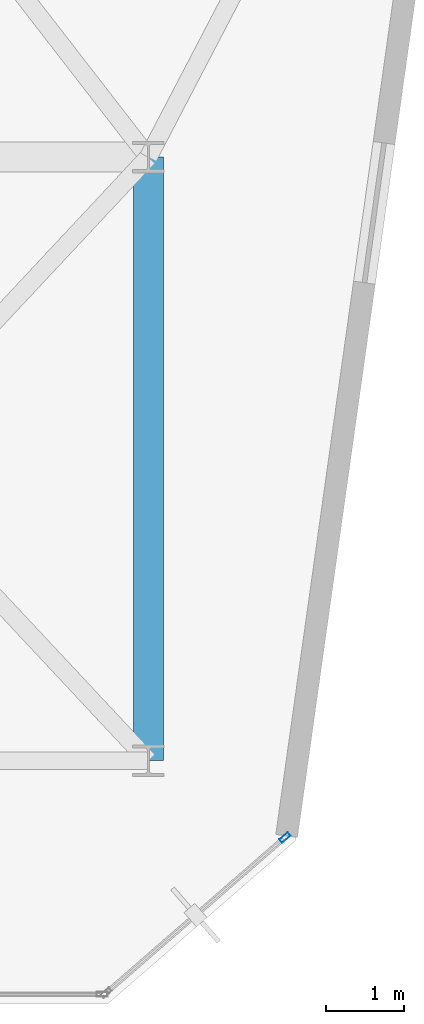
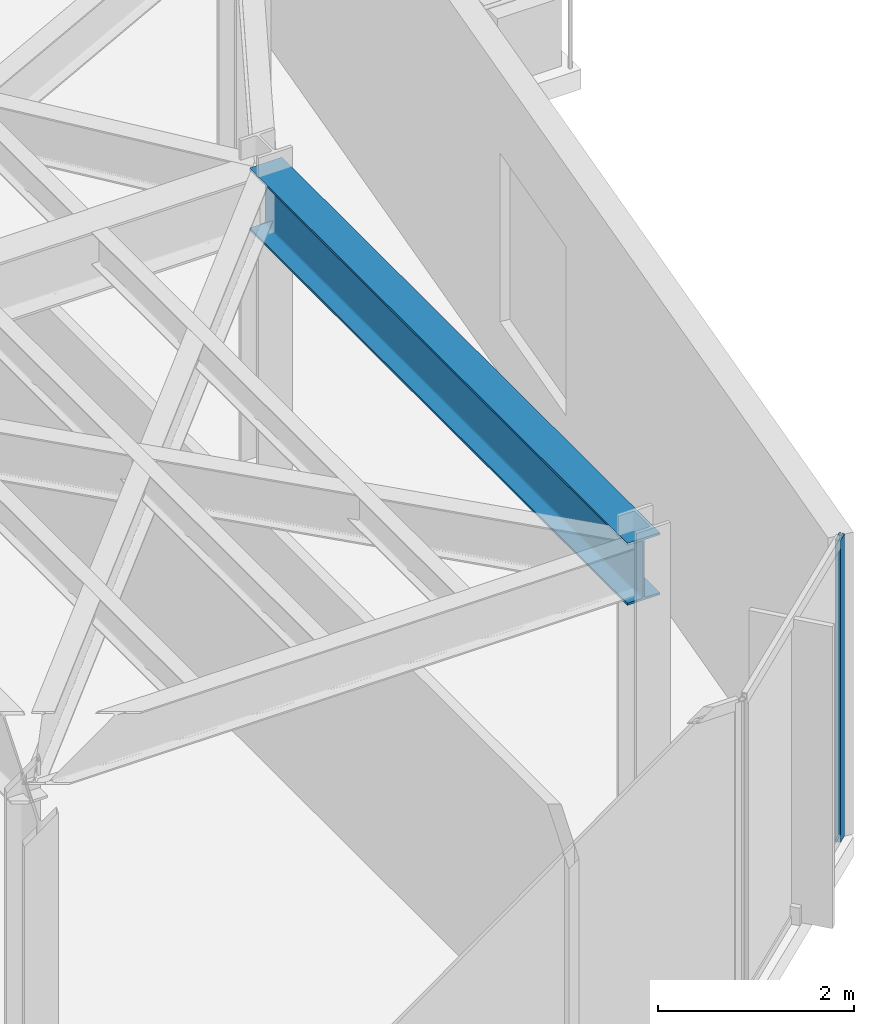
# One storey, part 20 of 26: 1 beam, 1 member, 1 element without a shape of its own.
"""IFC4 building model written with IfcOpenShell, lengths in metres."""

from ifc_helpers import new_model, si_unit, direction, frame, origin, origin_2d, place, context, subcontext, project, spatial, hollow_rectangle, i_section, extrude, material, layer, layer_set, material_profile, profile_set, type_object, element, aggregate, save


model = new_model("IFC4")

# Units and contexts
model_context = context("Model", 3, precision=1e-05, world=origin(), true_north=direction((0.0, 1.0)))
body_context = subcontext(model_context, "Body", "Model", "MODEL_VIEW")
ifc_project = project(units=[si_unit("LENGTHUNIT", "METRE"), si_unit("AREAUNIT", "SQUARE_METRE"), si_unit("VOLUMEUNIT", "CUBIC_METRE"), si_unit("PLANEANGLEUNIT", "RADIAN"), si_unit("MASSUNIT", "GRAM", prefix="KILO")], contexts=[model_context])

# Site, building, storey
site_placement = place(None, origin())
site = spatial("IfcSite", under=ifc_project, at=site_placement, CompositionType="ELEMENT")
building_placement = place(site_placement, origin())
building = spatial("IfcBuilding", under=site, at=building_placement, Name="Kravanh Interchange Tower", CompositionType="ELEMENT")
storey_placement = place(building_placement, frame((0.0, 0.0, 212.5)))
storey = spatial("IfcBuildingStorey", under=building, at=storey_placement, Name="L51", CompositionType="ELEMENT", Elevation=212.5)

# Curtain wall, member
ifc_material_1 = material(Name="Anodised Bronze Aluminium", Category="aluminium")
ifc_layer = layer(ifc_material_1, 0.179931640625)
ifc_layer_set = layer_set([ifc_layer], Name="Unitised Curtain Wall System CW-Z3 Upper Office")
curtain_wall_type = type_object("IfcCurtainWallType", Name="Unitised Curtain Wall System CW-Z3 Upper Office", PredefinedType="NOTDEFINED", material=ifc_layer_set)
curtain_wall_placement = place(storey_placement, origin())
curtain_wall = element("IfcCurtainWall", 1, at=curtain_wall_placement, inside=storey, type_object=curtain_wall_type, Name="L51 Unitised Curtain Wall CW-L51-02", PredefinedType="NOTDEFINED")
ifc_material_2 = material(Name="Anodised Bronze Aluminium", Category="aluminium")
ifc_material_profile_1 = material_profile(ifc_material_2, hollow_rectangle(XDim=0.06005859375, YDim=0.139892578125, WallThickness=0.00390625, at=origin_2d()), Name="ALU60X140X4")
ifc_profile_set_1 = profile_set([ifc_material_profile_1], Name="Anodised Bronze Aluminium")
member_type = type_object("IfcMemberType", Name="Curtain Wall Mullion ALU60X140X4 Bronze", PredefinedType="MULLION", material=ifc_profile_set_1)
member_placement = place(storey_placement, frame((64.94287109375, 13.52099609375, 0.0), z_axis=(0.0, 0.0, 1.0), x_axis=(0.65605090137, -0.754716645379, 0.0)))
member = element("IfcMember", 2, at=member_placement, type_object=member_type, Name="CW-Z3 mullion 1", PredefinedType="MULLION", context=body_context, shape_type="SweptSolid", body=[
    extrude(hollow_rectangle(XDim=0.06005859375, YDim=0.139892578125, WallThickness=0.00390625, at=origin_2d()), origin(), (0.0, 0.0, 1.0), 3.7548828125),
])
aggregate(curtain_wall, [member])

# Beam
ifc_material_3 = material(Name="Structural Steel S355", Category="steel")
ifc_material_profile_2 = material_profile(ifc_material_3, i_section(OverallWidth=0.381103515625, OverallDepth=0.77294921875, WebThickness=0.0166015625, FlangeThickness=0.027099609375, FilletRadius=0.02490234375, at=origin_2d()), Name="W30X173")
ifc_profile_set_2 = profile_set([ifc_material_profile_2], Name="Structural Steel S355")
beam_type = type_object("IfcBeamType", Name="Floor Beam W30X173 Structural Steel S355", PredefinedType="BEAM", material=ifc_profile_set_2)
beam_placement = place(storey_placement, frame((63.199951171875, 14.5, 3.368408203125), z_axis=(0.0, 1.0, 0.0), x_axis=(-1.0, 0.0, 0.0)))
element("IfcBeam", 3, at=beam_placement, inside=storey, type_object=beam_type, Name="L51 Primary Floor Girder 89", PredefinedType="BEAM", context=body_context, shape_type="SweptSolid", body=[
    extrude(i_section(OverallWidth=0.381103515625, OverallDepth=0.77294921875, WebThickness=0.0166015625, FlangeThickness=0.027099609375, FilletRadius=0.02490234375, at=origin_2d()), origin(), (0.0, 0.0, 1.0), 7.699951171875),
])

save(model, "model.ifc")
